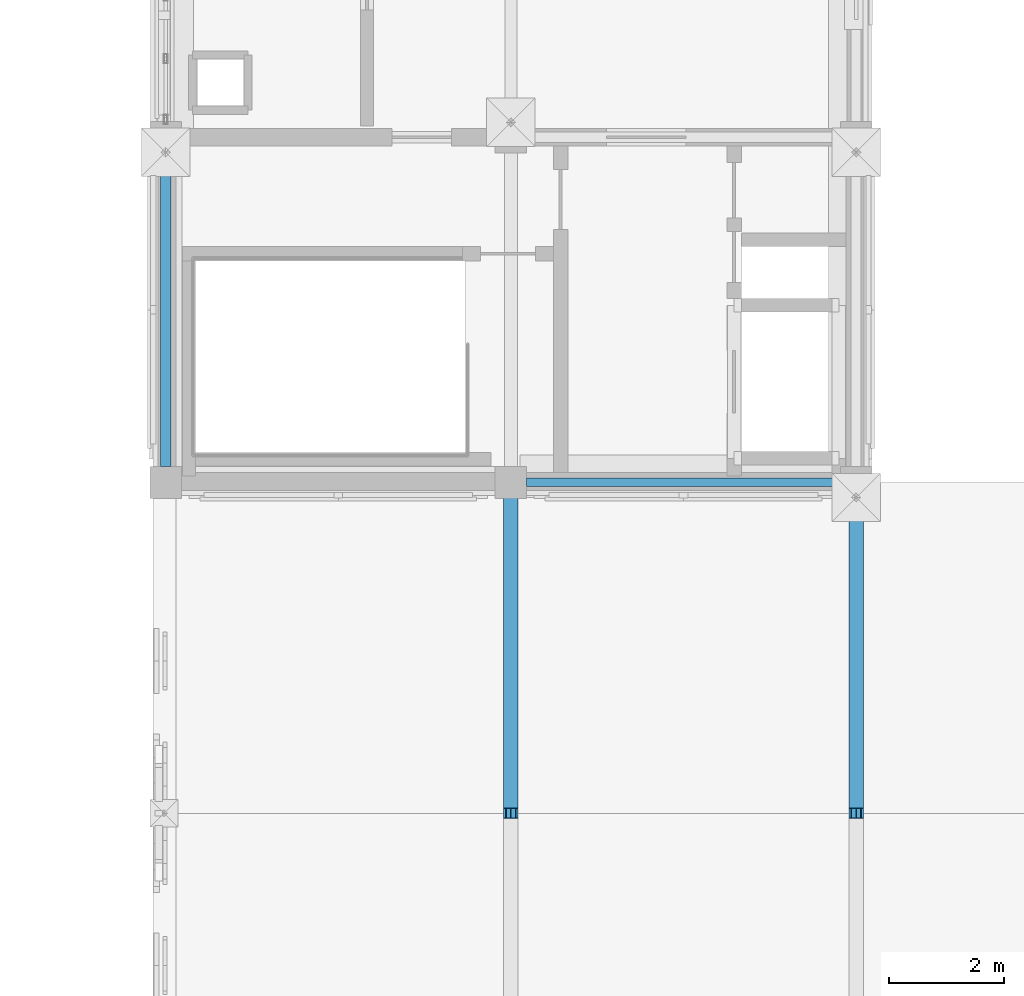
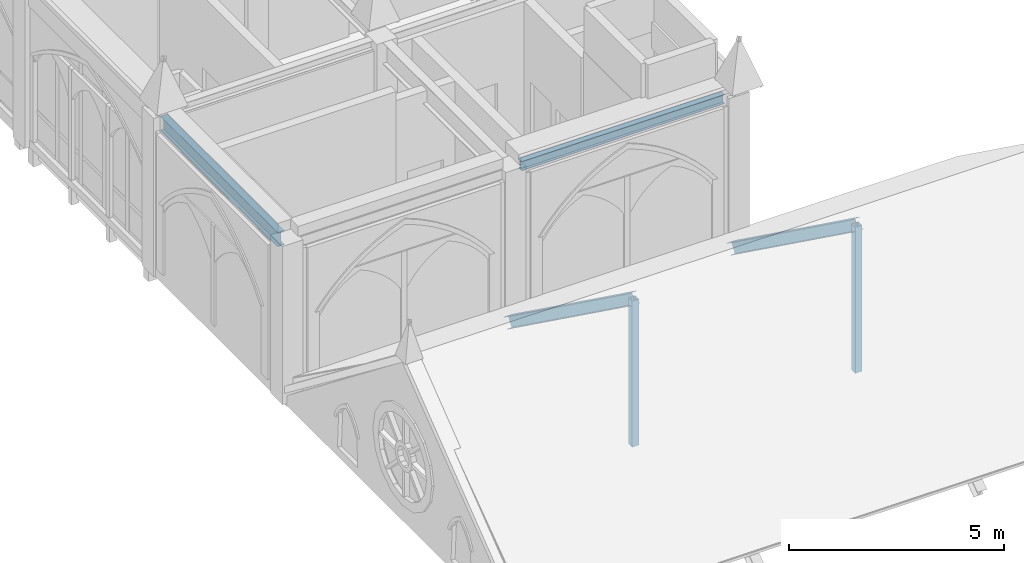
# One storey, part 36 of 108: 4 members, 2 beams.
"""IFC4 building model written with IfcOpenShell, lengths in metres."""

from ifc_helpers import new_model, si_unit, direction, frame, origin, origin_2d, place, context, subcontext, project, spatial, hollow_rectangle, i_section, extrude, material, material_profile, profile_set, type_object, element, save


model = new_model("IFC4")

# Units and contexts
model_context = context("Model", 3, precision=1e-05, world=origin(), true_north=direction((0.0, 1.0)))
body_context = subcontext(model_context, "Body", "Model", "MODEL_VIEW")
ifc_project = project(units=[si_unit("LENGTHUNIT", "METRE"), si_unit("AREAUNIT", "SQUARE_METRE"), si_unit("VOLUMEUNIT", "CUBIC_METRE"), si_unit("PLANEANGLEUNIT", "RADIAN"), si_unit("MASSUNIT", "GRAM", prefix="KILO")], contexts=[model_context])

# Site, building, storey
site_placement = place(None, origin())
site = spatial("IfcSite", under=ifc_project, at=site_placement, CompositionType="ELEMENT")
building_placement = place(site_placement, origin())
building = spatial("IfcBuilding", under=site, at=building_placement, Name="Cumevento Cable Car Station", CompositionType="ELEMENT")
storey_placement = place(building_placement, frame((0.0, 0.0, 13.5)))
storey = spatial("IfcBuildingStorey", under=building, at=storey_placement, Name="L04", CompositionType="ELEMENT", Elevation=13.5)

# Members
ifc_material_1 = material(Name="Steel ASTM A572 Grade 50", Category="steel")
ifc_material_profile_1 = material_profile(ifc_material_1, hollow_rectangle(XDim=0.179931640625, YDim=0.179931640625, WallThickness=0.010009765625, at=origin_2d()), Name="HSS180x180x10.0")
ifc_profile_set_1 = profile_set([ifc_material_profile_1], Name="Steel ASTM A572 Grade 50")
member_type_1 = type_object("IfcMemberType", Name="Framing Brace BR-01 HSS180x180x10.0", PredefinedType="BRACE", material=ifc_profile_set_1)
for number, where, z_axis, x_axis, name in (
    (1, (124.0, 15.25, 0.0), (0.0, 0.0, 1.0), (1.0, 0.0, 0.0), "Wing B_V4a King Post #760"),
    (2, (130.0, 15.25, 0.0), (0.0, 0.0, 1.0), (1.0, 0.0, 0.0), "Wing B_V4a King Post #763"),
):
    element("IfcMember", number, at=place(storey_placement, frame(where, z_axis=z_axis, x_axis=x_axis)), inside=storey, type_object=member_type_1, Name=name, PredefinedType="BRACE", context=body_context, shape_type="SweptSolid", body=[
        extrude(hollow_rectangle(XDim=0.179931640625, YDim=0.179931640625, WallThickness=0.010009765625, at=origin_2d()), origin(), (0.0, 0.0, 1.0), 4.14990234375),
    ])
ifc_material_2 = material(Name="Steel ASTM A572 Grade 50", Category="steel")
ifc_material_profile_2 = material_profile(ifc_material_2, i_section(OverallWidth=0.25390625, OverallDepth=0.305908203125, WebThickness=0.0087890625, FlangeThickness=0.0146484375, at=origin_2d()), Name="W310x79.0")
ifc_profile_set_2 = profile_set([ifc_material_profile_2], Name="Steel ASTM A572 Grade 50")
member_type_2 = type_object("IfcMemberType", Name="Framing Chord TC-03 W310x79.0", PredefinedType="CHORD", material=ifc_profile_set_2)
for number, where, z_axis, x_axis, name in (
    (3, (124.0, 21.0, 0.0), (0.0, -0.81087165175, 0.585224029231), (1.0, 0.0, 0.0), "Wing B_V4a Rafter #762"),
    (4, (130.0, 21.0, 0.0), (0.0, -0.81087165175, 0.585224029231), (1.0, 0.0, 0.0), "Wing B_V4a Rafter #765"),
):
    element("IfcMember", number, at=place(storey_placement, frame(where, z_axis=z_axis, x_axis=x_axis)), inside=storey, type_object=member_type_2, Name=name, PredefinedType="CHORD", context=body_context, shape_type="SweptSolid", body=[
        extrude(i_section(OverallWidth=0.25390625, OverallDepth=0.305908203125, WebThickness=0.0087890625, FlangeThickness=0.0146484375, at=origin_2d()), origin(), (0.0, 0.0, 1.0), 7.091064453125),
    ])

# Beams
ifc_material_3 = material(Name="Steel ASTM A572 Grade 50", Category="steel")
ifc_material_profile_3 = material_profile(ifc_material_3, i_section(OverallWidth=0.14794921875, OverallDepth=0.26611328125, WebThickness=0.007568359375, FlangeThickness=0.012939453125, at=origin_2d()), Name="W250x44.8")
ifc_profile_set_3 = profile_set([ifc_material_profile_3], Name="Steel ASTM A572 Grade 50")
beam_type_1 = type_object("IfcBeamType", Name="Structural Beam BM-07 W250x44.8", PredefinedType="BEAM", material=ifc_profile_set_3)
beam_1_placement = place(storey_placement, frame((124.27490234375, 21.0, 4.366943359375), z_axis=(1.0, 0.0, 0.0), x_axis=(0.0, 1.0, 0.0)))
element("IfcBeam", 5, at=beam_1_placement, inside=storey, type_object=beam_type_1, Name="Beam BM-07 L04 #1452", PredefinedType="BEAM", context=body_context, shape_type="SweptSolid", body=[
    extrude(i_section(OverallWidth=0.14794921875, OverallDepth=0.26611328125, WebThickness=0.007568359375, FlangeThickness=0.012939453125, at=origin_2d()), origin(), (0.0, 0.0, 1.0), 5.4501953125),
])
ifc_material_4 = material(Name="Steel ASTM A572 Grade 50", Category="steel")
ifc_material_profile_4 = material_profile(ifc_material_4, i_section(OverallWidth=0.177978515625, OverallDepth=0.406982421875, WebThickness=0.0078125, FlangeThickness=0.0126953125, at=origin_2d()), Name="W410x60.0")
ifc_profile_set_4 = profile_set([ifc_material_profile_4], Name="Steel ASTM A572 Grade 50")
beam_type_2 = type_object("IfcBeamType", Name="Structural Spandrel SP-01 W410x60.0", PredefinedType="SPANDREL", material=ifc_profile_set_4)
beam_2_placement = place(storey_placement, frame((118.0, 21.27490234375, 4.29638671875), z_axis=(0.0, 1.0, 0.0), x_axis=(-1.0, 0.0, 0.0)))
element("IfcBeam", 6, at=beam_2_placement, inside=storey, type_object=beam_type_2, Name="Beam SP-01 L04 #1455", PredefinedType="SPANDREL", context=body_context, shape_type="SweptSolid", body=[
    extrude(i_section(OverallWidth=0.177978515625, OverallDepth=0.406982421875, WebThickness=0.0078125, FlangeThickness=0.0126953125, at=origin_2d()), origin(), (0.0, 0.0, 1.0), 5.4501953125),
])

save(model, "model.ifc")
